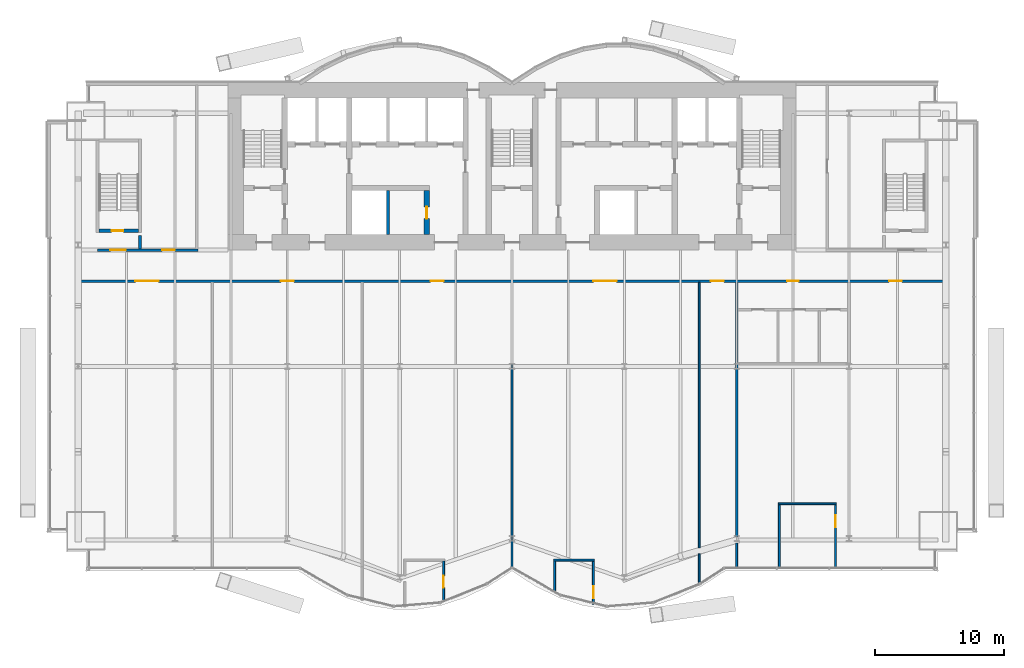
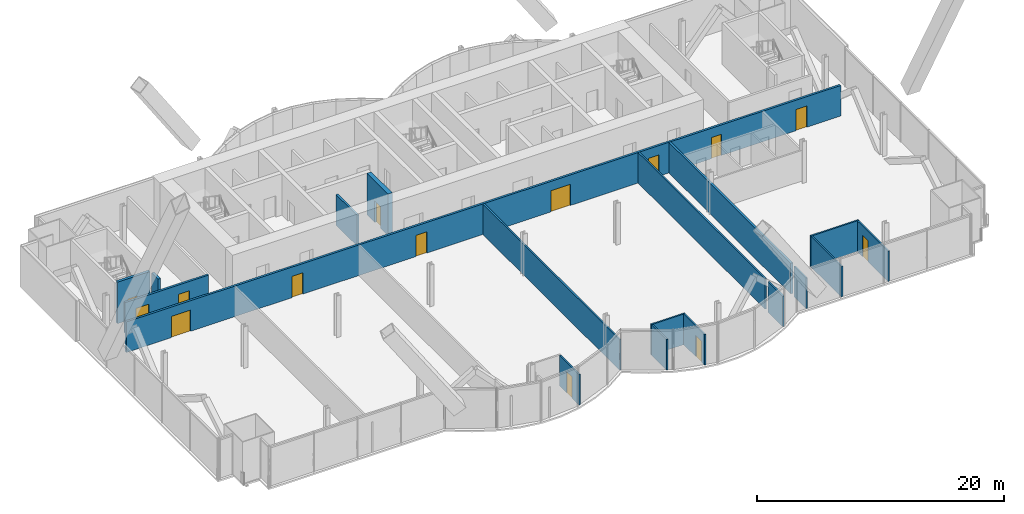
# One storey, part 17 of 23: 18 walls, 14 doors, 14 openings.
"""IFC4 building model written with IfcOpenShell, lengths in metres."""

from ifc_helpers import new_model, si_unit, direction, frame, frame_2d, origin, place, context, subcontext, project, spatial, rectangle, extrude, material, layer, layer_set, type_object, element, fill, save


model = new_model("IFC4")

# Units and contexts
model_context = context("Model", 3, precision=1e-05, world=origin(), true_north=direction((0.0, 1.0)))
body_context = subcontext(model_context, "Body", "Model", "MODEL_VIEW")
ifc_project = project(units=[si_unit("LENGTHUNIT", "METRE"), si_unit("AREAUNIT", "SQUARE_METRE"), si_unit("VOLUMEUNIT", "CUBIC_METRE"), si_unit("PLANEANGLEUNIT", "RADIAN"), si_unit("MASSUNIT", "GRAM", prefix="KILO")], contexts=[model_context])

# Site, building, storey
site_placement = place(None, origin())
site = spatial("IfcSite", under=ifc_project, at=site_placement, CompositionType="ELEMENT")
building_placement = place(site_placement, origin())
building = spatial("IfcBuilding", under=site, at=building_placement, Name="Bicima Exchange Tower", CompositionType="ELEMENT")
storey_placement = place(building_placement, frame((0.0, 0.0, 110.39990234375)))
storey = spatial("IfcBuildingStorey", under=building, at=storey_placement, Name="L23", CompositionType="ELEMENT", Elevation=110.39990234375)

# Wall
ifc_material_1 = material(Name="Gypsum board partition")
ifc_layer_1 = layer(ifc_material_1, 0.199951171875)
ifc_layer_set_1 = layer_set([ifc_layer_1], Name="Gypsum board partition")
wall_type_1 = type_object("IfcWallType", Name="Fire-rated gypsum partition 200 EI120", PredefinedType="PARTITIONING", material=ifc_layer_set_1)
wall_1_placement = place(storey_placement, frame((-9.60009765625, -11.800048828125, 0.0), z_axis=(0.0, 0.0, 1.0), x_axis=(0.0, 1.0, 0.0)))
element("IfcWall", 1, at=wall_1_placement, inside=storey, type_object=wall_type_1, Name="partition wall 11", PredefinedType="PARTITIONING", context=body_context, shape_type="SweptSolid", body=[
    extrude(rectangle(XDim=3.400146484375, YDim=0.199951171875, at=frame_2d((1.7001953125, 0.0))), origin(), (0.0, 0.0, 1.0), 3.018310546875),
])

# Wall, openings, doors
ifc_layer_2 = layer(ifc_material_1, 0.199951171875)
ifc_layer_set_2 = layer_set([ifc_layer_2], Name="Gypsum board partition")
wall_type_2 = type_object("IfcWallType", Name="Fire-rated gypsum partition 200 EI60", PredefinedType="PARTITIONING", material=ifc_layer_set_2)
wall_2_placement = place(storey_placement, frame((-33.3701171875, -15.39990234375, 0.0), z_axis=(0.0, 0.0, 1.0), x_axis=(1.0, 0.0, 0.0)))
wall_2 = element("IfcWall", 2, at=wall_2_placement, inside=storey, type_object=wall_type_2, Name="partition wall 6", PredefinedType="PARTITIONING", context=body_context, shape_type="SweptSolid", body=[
    extrude(rectangle(XDim=66.740234375, YDim=0.199951171875, at=frame_2d((33.3701171875, 0.0))), origin(), (0.0, 0.0, 1.0), 3.018310546875),
])
opening_1_placement = place(wall_2_placement, frame((4.199951171875, 0.0, 0.0)))
opening_1 = element("IfcOpeningElement", 3, at=opening_1_placement, cuts=wall_2, Name="Opening L23-007", PredefinedType="OPENING", context=body_context, shape_type="SweptSolid", body=[
    extrude(rectangle(XDim=1.800048828125, YDim=2.10009765625, at=frame_2d((0.89990234375, 1.050048828125))), frame((0.0, 0.11181640625, 0.0), z_axis=(0.0, -1.0, 0.0), x_axis=(1.0, 0.0, 0.0)), (0.0, 0.0, 1.0), 0.223876953125),
])
opening_2_placement = place(wall_2_placement, frame((15.469970703125, 0.0, 0.0)))
opening_2 = element("IfcOpeningElement", 4, at=opening_2_placement, cuts=wall_2, Name="Opening L23-008", PredefinedType="OPENING", context=body_context, shape_type="SweptSolid", body=[
    extrude(rectangle(XDim=1.0, YDim=2.10009765625, at=frame_2d((0.5, 1.050048828125))), frame((0.0, 0.11181640625, 0.0), z_axis=(0.0, -1.0, 0.0), x_axis=(1.0, 0.0, 0.0)), (0.0, 0.0, 1.0), 0.223876953125),
])
opening_3_placement = place(wall_2_placement, frame((27.070068359375, 0.0, 0.0)))
opening_3 = element("IfcOpeningElement", 5, at=opening_3_placement, cuts=wall_2, Name="Opening L23-009", PredefinedType="OPENING", context=body_context, shape_type="SweptSolid", body=[
    extrude(rectangle(XDim=1.0, YDim=2.10009765625, at=frame_2d((0.5, 1.050048828125))), frame((0.0, 0.11181640625, 0.0), z_axis=(0.0, -1.0, 0.0), x_axis=(1.0, 0.0, 0.0)), (0.0, 0.0, 1.0), 0.223876953125),
])
opening_4_placement = place(wall_2_placement, frame((39.669921875, 0.0, 0.0)))
opening_4 = element("IfcOpeningElement", 6, at=opening_4_placement, cuts=wall_2, Name="Opening L23-010", PredefinedType="OPENING", context=body_context, shape_type="SweptSolid", body=[
    extrude(rectangle(XDim=1.800048828125, YDim=2.10009765625, at=frame_2d((0.89990234375, 1.050048828125))), frame((0.0, 0.11181640625, 0.0), z_axis=(0.0, -1.0, 0.0), x_axis=(1.0, 0.0, 0.0)), (0.0, 0.0, 1.0), 0.223876953125),
])
opening_5_placement = place(wall_2_placement, frame((48.77001953125, 0.0, 0.0)))
opening_5 = element("IfcOpeningElement", 7, at=opening_5_placement, cuts=wall_2, Name="Opening L23-011", PredefinedType="OPENING", context=body_context, shape_type="SweptSolid", body=[
    extrude(rectangle(XDim=1.0, YDim=2.10009765625, at=frame_2d((0.5, 1.050048828125))), frame((0.0, 0.11181640625, 0.0), z_axis=(0.0, -1.0, 0.0), x_axis=(1.0, 0.0, 0.0)), (0.0, 0.0, 1.0), 0.223876953125),
])
opening_6_placement = place(wall_2_placement, frame((54.669921875, 0.0, 0.0)))
opening_6 = element("IfcOpeningElement", 8, at=opening_6_placement, cuts=wall_2, Name="Opening L23-012", PredefinedType="OPENING", context=body_context, shape_type="SweptSolid", body=[
    extrude(rectangle(XDim=0.89990234375, YDim=2.10009765625, at=frame_2d((0.449951171875, 1.050048828125))), frame((0.0, 0.11181640625, 0.0), z_axis=(0.0, -1.0, 0.0), x_axis=(1.0, 0.0, 0.0)), (0.0, 0.0, 1.0), 0.223876953125),
])
opening_7_placement = place(wall_2_placement, frame((62.570068359375, 0.0, 0.0)))
opening_7 = element("IfcOpeningElement", 9, at=opening_7_placement, cuts=wall_2, Name="Opening L23-016", PredefinedType="OPENING", context=body_context, shape_type="SweptSolid", body=[
    extrude(rectangle(XDim=1.0, YDim=2.10009765625, at=frame_2d((0.5, 1.050048828125))), frame((0.0, 0.11181640625, 0.0), z_axis=(0.0, -1.0, 0.0), x_axis=(1.0, 0.0, 0.0)), (0.0, 0.0, 1.0), 0.223876953125),
])
ifc_material_2 = material(Name="Steel fire door leaf", Category="steel")
door_type_1 = type_object("IfcDoorType", Name="Door 1000 swing FD30S", OperationType="SINGLE_SWING_LEFT", PredefinedType="DOOR", material=ifc_material_2)
door_1_placement = place(opening_2_placement, frame((1.0, 0.0, 0.0), z_axis=(0.0, 0.0, 1.0), x_axis=(-1.0, 0.0, 0.0)))
door_1 = element("IfcDoor", 10, at=door_1_placement, inside=storey, type_object=door_type_1, Name="Door", OperationType="SINGLE_SWING_RIGHT", OverallHeight=2.10009765625, OverallWidth=1.0, PredefinedType="DOOR", context=body_context, shape_type="SweptSolid", body=[
    extrude(rectangle(XDim=1.0, YDim=2.10009765625, at=frame_2d((0.5, 1.050048828125))), frame((0.0, 0.02490234375, 0.0), z_axis=(0.0, -1.0, 0.0), x_axis=(1.0, 0.0, 0.0)), (0.0, 0.0, 1.0), 0.050048828125),
])
fill(opening_2, door_1)
door_2_placement = place(opening_3_placement, frame((1.0, 0.0, 0.0), z_axis=(0.0, 0.0, 1.0), x_axis=(-1.0, 0.0, 0.0)))
door_2 = element("IfcDoor", 11, at=door_2_placement, inside=storey, type_object=door_type_1, Name="Door", OperationType="SINGLE_SWING_RIGHT", OverallHeight=2.10009765625, OverallWidth=1.0, PredefinedType="DOOR", context=body_context, shape_type="SweptSolid", body=[
    extrude(rectangle(XDim=1.0, YDim=2.10009765625, at=frame_2d((0.5, 1.050048828125))), frame((0.0, 0.02490234375, 0.0), z_axis=(0.0, -1.0, 0.0), x_axis=(1.0, 0.0, 0.0)), (0.0, 0.0, 1.0), 0.050048828125),
])
fill(opening_3, door_2)
door_3_placement = place(opening_5_placement, frame((1.0, 0.0, 0.0), z_axis=(0.0, 0.0, 1.0), x_axis=(-1.0, 0.0, 0.0)))
door_3 = element("IfcDoor", 12, at=door_3_placement, inside=storey, type_object=door_type_1, Name="Door", OperationType="SINGLE_SWING_RIGHT", OverallHeight=2.10009765625, OverallWidth=1.0, PredefinedType="DOOR", context=body_context, shape_type="SweptSolid", body=[
    extrude(rectangle(XDim=1.0, YDim=2.10009765625, at=frame_2d((0.5, 1.050048828125))), frame((0.0, 0.02490234375, 0.0), z_axis=(0.0, -1.0, 0.0), x_axis=(1.0, 0.0, 0.0)), (0.0, 0.0, 1.0), 0.050048828125),
])
fill(opening_5, door_3)
door_4_placement = place(opening_7_placement, frame((1.0, 0.0, 0.0), z_axis=(0.0, 0.0, 1.0), x_axis=(-1.0, 0.0, 0.0)))
door_4 = element("IfcDoor", 13, at=door_4_placement, inside=storey, type_object=door_type_1, Name="Door", OperationType="SINGLE_SWING_LEFT", OverallHeight=2.10009765625, OverallWidth=1.0, PredefinedType="DOOR", context=body_context, shape_type="SweptSolid", body=[
    extrude(rectangle(XDim=1.0, YDim=2.10009765625, at=frame_2d((0.5, 1.050048828125))), frame((0.0, 0.02490234375, 0.0), z_axis=(0.0, -1.0, 0.0), x_axis=(1.0, 0.0, 0.0)), (0.0, 0.0, 1.0), 0.050048828125),
])
fill(opening_7, door_4)
door_type_2 = type_object("IfcDoorType", Name="Door 1800 double swing FD30S", OperationType="DOUBLE_DOOR_SINGLE_SWING", PredefinedType="DOOR", material=ifc_material_2)
door_5_placement = place(opening_1_placement, origin())
door_5 = element("IfcDoor", 14, at=door_5_placement, inside=storey, type_object=door_type_2, Name="Door", OperationType="SINGLE_SWING_LEFT", OverallHeight=2.10009765625, OverallWidth=1.800048828125, PredefinedType="DOOR", context=body_context, shape_type="SweptSolid", body=[
    extrude(rectangle(XDim=1.800048828125, YDim=2.10009765625, at=frame_2d((0.89990234375, 1.050048828125))), frame((0.0, 0.02490234375, 0.0), z_axis=(0.0, -1.0, 0.0), x_axis=(1.0, 0.0, 0.0)), (0.0, 0.0, 1.0), 0.050048828125),
])
fill(opening_1, door_5)
door_6_placement = place(opening_4_placement, origin())
door_6 = element("IfcDoor", 15, at=door_6_placement, inside=storey, type_object=door_type_2, Name="Door", OperationType="SINGLE_SWING_LEFT", OverallHeight=2.10009765625, OverallWidth=1.800048828125, PredefinedType="DOOR", context=body_context, shape_type="SweptSolid", body=[
    extrude(rectangle(XDim=1.800048828125, YDim=2.10009765625, at=frame_2d((0.89990234375, 1.050048828125))), frame((0.0, 0.02490234375, 0.0), z_axis=(0.0, -1.0, 0.0), x_axis=(1.0, 0.0, 0.0)), (0.0, 0.0, 1.0), 0.050048828125),
])
fill(opening_4, door_6)
door_type_3 = type_object("IfcDoorType", Name="Door 900 swing FD30S", OperationType="SINGLE_SWING_LEFT", PredefinedType="DOOR", material=ifc_material_2)
door_7_placement = place(opening_6_placement, frame((0.89990234375, 0.0, 0.0), z_axis=(0.0, 0.0, 1.0), x_axis=(-1.0, 0.0, 0.0)))
door_7 = element("IfcDoor", 16, at=door_7_placement, inside=storey, type_object=door_type_3, Name="Door", OperationType="SINGLE_SWING_RIGHT", OverallHeight=2.10009765625, OverallWidth=0.89990234375, PredefinedType="DOOR", context=body_context, shape_type="SweptSolid", body=[
    extrude(rectangle(XDim=0.89990234375, YDim=2.10009765625, at=frame_2d((0.449951171875, 1.050048828125))), frame((0.0, 0.02490234375, 0.0), z_axis=(0.0, -1.0, 0.0), x_axis=(1.0, 0.0, 0.0)), (0.0, 0.0, 1.0), 0.050048828125),
])
fill(opening_6, door_7)

wall_3_placement = place(storey_placement, frame((-32.10009765625, -13.0, 0.0), z_axis=(0.0, 0.0, 1.0), x_axis=(1.0, 0.0, 0.0)))
wall_3 = element("IfcWall", 17, at=wall_3_placement, inside=storey, type_object=wall_type_2, Name="partition wall 7", PredefinedType="PARTITIONING", context=body_context, shape_type="SweptSolid", body=[
    extrude(rectangle(XDim=7.800048828125, YDim=0.199951171875, at=frame_2d((3.89990234375, 0.0))), origin(), (0.0, 0.0, 1.0), 3.018310546875),
])
opening_8_placement = place(wall_3_placement, frame((1.0, 0.0, 0.0)))
opening_8 = element("IfcOpeningElement", 18, at=opening_8_placement, cuts=wall_3, Name="Opening L23-001", PredefinedType="OPENING", context=body_context, shape_type="SweptSolid", body=[
    extrude(rectangle(XDim=1.199951171875, YDim=2.10009765625, at=frame_2d((0.60009765625, 1.050048828125))), frame((0.0, 0.11181640625, 0.0), z_axis=(0.0, -1.0, 0.0), x_axis=(1.0, 0.0, 0.0)), (0.0, 0.0, 1.0), 0.223876953125),
])
opening_9_placement = place(wall_3_placement, frame((5.0, 0.0, 0.0)))
opening_9 = element("IfcOpeningElement", 19, at=opening_9_placement, cuts=wall_3, Name="Opening L23-005", PredefinedType="OPENING", context=body_context, shape_type="SweptSolid", body=[
    extrude(rectangle(XDim=1.0, YDim=2.10009765625, at=frame_2d((0.5, 1.050048828125))), frame((0.0, 0.11181640625, 0.0), z_axis=(0.0, -1.0, 0.0), x_axis=(1.0, 0.0, 0.0)), (0.0, 0.0, 1.0), 0.223876953125),
])
door_8_placement = place(opening_9_placement, origin())
door_8 = element("IfcDoor", 20, at=door_8_placement, inside=storey, type_object=door_type_1, Name="Door", OperationType="SINGLE_SWING_LEFT", OverallHeight=2.10009765625, OverallWidth=1.0, PredefinedType="DOOR", context=body_context, shape_type="SweptSolid", body=[
    extrude(rectangle(XDim=1.0, YDim=2.10009765625, at=frame_2d((0.5, 1.050048828125))), frame((0.0, 0.02490234375, 0.0), z_axis=(0.0, -1.0, 0.0), x_axis=(1.0, 0.0, 0.0)), (0.0, 0.0, 1.0), 0.050048828125),
])
fill(opening_9, door_8)
door_type_4 = type_object("IfcDoorType", Name="Door 1200 swing FD30S", OperationType="SINGLE_SWING_LEFT", PredefinedType="DOOR", material=ifc_material_2)
door_9_placement = place(opening_8_placement, origin())
door_9 = element("IfcDoor", 21, at=door_9_placement, inside=storey, type_object=door_type_4, Name="Door", OperationType="SINGLE_SWING_LEFT", OverallHeight=2.10009765625, OverallWidth=1.199951171875, PredefinedType="DOOR", context=body_context, shape_type="SweptSolid", body=[
    extrude(rectangle(XDim=1.199951171875, YDim=2.10009765625, at=frame_2d((0.60009765625, 1.050048828125))), frame((0.0, 0.02490234375, 0.0), z_axis=(0.0, -1.0, 0.0), x_axis=(1.0, 0.0, 0.0)), (0.0, 0.0, 1.0), 0.050048828125),
])
fill(opening_8, door_9)

# Walls
wall_4_placement = place(storey_placement, frame((17.39990234375, -35.214599609375, 0.0), z_axis=(0.0, 0.0, 1.0), x_axis=(0.0, 1.0, 0.0)))
element("IfcWall", 22, at=wall_4_placement, inside=storey, type_object=wall_type_2, Name="partition wall 30", PredefinedType="PARTITIONING", context=body_context, shape_type="SweptSolid", body=[
    extrude(rectangle(XDim=19.714599609375, YDim=0.199951171875, at=frame_2d((9.857421875, 0.0))), origin(), (0.0, 0.0, 1.0), 3.018310546875),
])
ifc_layer_3 = layer(ifc_material_1, 0.14990234375)
ifc_layer_set_3 = layer_set([ifc_layer_3], Name="Gypsum board partition")
wall_type_3 = type_object("IfcWallType", Name="Gypsum partition 150", PredefinedType="PARTITIONING", material=ifc_layer_set_3)
wall_5_placement = place(storey_placement, frame((3.22509765625, -37.0, 0.0), z_axis=(0.0, 0.0, 1.0), x_axis=(1.0, 0.0, 0.0)))
element("IfcWall", 23, at=wall_5_placement, inside=storey, type_object=wall_type_3, Name="partition wall 2", PredefinedType="PARTITIONING", context=body_context, shape_type="SweptSolid", body=[
    extrude(rectangle(XDim=3.14990234375, YDim=0.14990234375, at=frame_2d((1.574951171875, 0.0))), origin(), (0.0, 0.0, 1.0), 3.018310546875),
])
wall_6_placement = place(storey_placement, frame((20.625, -32.639892578125, 0.0), z_axis=(0.0, 0.0, 1.0), x_axis=(1.0, 0.0, 0.0)))
element("IfcWall", 24, at=wall_6_placement, inside=storey, type_object=wall_type_3, Name="partition wall 3", PredefinedType="PARTITIONING", context=body_context, shape_type="SweptSolid", body=[
    extrude(rectangle(XDim=4.5, YDim=0.14990234375, at=frame_2d((2.25, 0.0))), origin(), (0.0, 0.0, 1.0), 3.018310546875),
])

# Wall, opening, door
wall_7_placement = place(storey_placement, frame((-5.300048828125, -40.22998046875, 0.0), z_axis=(0.0, 0.0, 1.0), x_axis=(0.0, 1.0, 0.0)))
wall_7 = element("IfcWall", 25, at=wall_7_placement, inside=storey, type_object=wall_type_3, Name="partition wall 23", PredefinedType="PARTITIONING", context=body_context, shape_type="SweptSolid", body=[
    extrude(rectangle(XDim=3.155029296875, YDim=0.14990234375, at=frame_2d((1.57763671875, 0.0))), origin(), (0.0, 0.0, 1.0), 3.018310546875),
])
opening_10_placement = place(wall_7_placement, frame((1.10009765625, 0.0, 0.0)))
opening_10 = element("IfcOpeningElement", 26, at=opening_10_placement, cuts=wall_7, Name="Opening L23-017", PredefinedType="OPENING", context=body_context, shape_type="SweptSolid", body=[
    extrude(rectangle(XDim=0.89990234375, YDim=2.10009765625, at=frame_2d((0.449951171875, 1.050048828125))), frame((0.0, 0.0869140625, 0.0), z_axis=(0.0, -1.0, 0.0), x_axis=(1.0, 0.0, 0.0)), (0.0, 0.0, 1.0), 0.173828125),
])
ifc_material_3 = material(Name="Timber door leaf", Category="wood")
door_type_5 = type_object("IfcDoorType", Name="Door 900 swing", OperationType="SINGLE_SWING_LEFT", PredefinedType="DOOR", material=ifc_material_3)
door_10_placement = place(opening_10_placement, origin())
door_10 = element("IfcDoor", 27, at=door_10_placement, inside=storey, type_object=door_type_5, Name="Door", OperationType="SINGLE_SWING_LEFT", OverallHeight=2.10009765625, OverallWidth=0.89990234375, PredefinedType="DOOR", context=body_context, shape_type="SweptSolid", body=[
    extrude(rectangle(XDim=0.89990234375, YDim=2.10009765625, at=frame_2d((0.449951171875, 1.050048828125))), frame((0.0, 0.02490234375, 0.0), z_axis=(0.0, -1.0, 0.0), x_axis=(1.0, 0.0, 0.0)), (0.0, 0.0, 1.0), 0.050048828125),
])
fill(opening_10, door_10)

# Walls
wall_8_placement = place(storey_placement, frame((0.0, -37.60009765625, 0.0), z_axis=(0.0, 0.0, 1.0), x_axis=(0.0, 1.0, 0.0)))
element("IfcWall", 28, at=wall_8_placement, inside=storey, type_object=wall_type_3, Name="partition wall 24", PredefinedType="PARTITIONING", context=body_context, shape_type="SweptSolid", body=[
    extrude(rectangle(XDim=22.10009765625, YDim=0.14990234375, at=frame_2d((11.050048828125, 0.0))), origin(), (0.0, 0.0, 1.0), 3.018310546875),
])
wall_9_placement = place(storey_placement, frame((3.300048828125, -39.510009765625, 0.0), z_axis=(0.0, 0.0, 1.0), x_axis=(0.0, 1.0, 0.0)))
element("IfcWall", 29, at=wall_9_placement, inside=storey, type_object=wall_type_3, Name="partition wall 25", PredefinedType="PARTITIONING", context=body_context, shape_type="SweptSolid", body=[
    extrude(rectangle(XDim=2.43505859375, YDim=0.14990234375, at=frame_2d((1.217529296875, 0.0))), origin(), (0.0, 0.0, 1.0), 3.018310546875),
])

# Wall, opening, door
wall_10_placement = place(storey_placement, frame((6.300048828125, -40.43994140625, 0.0), z_axis=(0.0, 0.0, 1.0), x_axis=(0.0, 1.0, 0.0)))
wall_10 = element("IfcWall", 30, at=wall_10_placement, inside=storey, type_object=wall_type_3, Name="partition wall 26", PredefinedType="PARTITIONING", context=body_context, shape_type="SweptSolid", body=[
    extrude(rectangle(XDim=3.364990234375, YDim=0.14990234375, at=frame_2d((1.6826171875, 0.0))), origin(), (0.0, 0.0, 1.0), 3.018310546875),
])
opening_11_placement = place(wall_10_placement, frame((0.5, 0.0, 0.0)))
opening_11 = element("IfcOpeningElement", 31, at=opening_11_placement, cuts=wall_10, Name="Opening L23-018", PredefinedType="OPENING", context=body_context, shape_type="SweptSolid", body=[
    extrude(rectangle(XDim=0.89990234375, YDim=2.10009765625, at=frame_2d((0.449951171875, 1.050048828125))), frame((0.0, 0.0869140625, 0.0), z_axis=(0.0, -1.0, 0.0), x_axis=(1.0, 0.0, 0.0)), (0.0, 0.0, 1.0), 0.173828125),
])
door_11_placement = place(opening_11_placement, origin())
door_11 = element("IfcDoor", 32, at=door_11_placement, inside=storey, type_object=door_type_5, Name="Door", OperationType="SINGLE_SWING_RIGHT", OverallHeight=2.10009765625, OverallWidth=0.89990234375, PredefinedType="DOOR", context=body_context, shape_type="SweptSolid", body=[
    extrude(rectangle(XDim=0.89990234375, YDim=2.10009765625, at=frame_2d((0.449951171875, 1.050048828125))), frame((0.0, 0.02490234375, 0.0), z_axis=(0.0, -1.0, 0.0), x_axis=(1.0, 0.0, 0.0)), (0.0, 0.0, 1.0), 0.050048828125),
])
fill(opening_11, door_11)

# Walls
wall_11_placement = place(storey_placement, frame((14.5, -38.8798828125, 0.0), z_axis=(0.0, 0.0, 1.0), x_axis=(0.0, 1.0, 0.0)))
element("IfcWall", 33, at=wall_11_placement, inside=storey, type_object=wall_type_3, Name="partition wall 27", PredefinedType="PARTITIONING", context=body_context, shape_type="SweptSolid", body=[
    extrude(rectangle(XDim=2.356201171875, YDim=0.14990234375, at=frame_2d((1.17822265625, 0.0))), origin(), (0.0, 0.0, 1.0), 3.018310546875),
])
wall_12_placement = place(storey_placement, frame((14.5, -36.049072265625, 0.0), z_axis=(0.0, 0.0, 1.0), x_axis=(0.0, 1.0, 0.0)))
element("IfcWall", 34, at=wall_12_placement, inside=storey, type_object=wall_type_3, Name="partition wall 28", PredefinedType="PARTITIONING", context=body_context, shape_type="SweptSolid", body=[
    extrude(rectangle(XDim=20.549072265625, YDim=0.14990234375, at=frame_2d((10.2744140625, 0.0))), origin(), (0.0, 0.0, 1.0), 3.018310546875),
])
wall_13_placement = place(storey_placement, frame((17.39990234375, -37.639892578125, 0.0), z_axis=(0.0, 0.0, 1.0), x_axis=(0.0, 1.0, 0.0)))
element("IfcWall", 35, at=wall_13_placement, inside=storey, type_object=wall_type_3, Name="partition wall 29", PredefinedType="PARTITIONING", context=body_context, shape_type="SweptSolid", body=[
    extrude(rectangle(XDim=1.95068359375, YDim=0.14990234375, at=frame_2d((0.975341796875, 0.0))), origin(), (0.0, 0.0, 1.0), 3.018310546875),
])
wall_14_placement = place(storey_placement, frame((20.699951171875, -37.639892578125, 0.0), z_axis=(0.0, 0.0, 1.0), x_axis=(0.0, 1.0, 0.0)))
element("IfcWall", 36, at=wall_14_placement, inside=storey, type_object=wall_type_3, Name="partition wall 32", PredefinedType="PARTITIONING", context=body_context, shape_type="SweptSolid", body=[
    extrude(rectangle(XDim=4.9248046875, YDim=0.14990234375, at=frame_2d((2.46240234375, 0.0))), origin(), (0.0, 0.0, 1.0), 3.018310546875),
])

# Wall, opening, door
wall_15_placement = place(storey_placement, frame((25.050048828125, -37.639892578125, 0.0), z_axis=(0.0, 0.0, 1.0), x_axis=(0.0, 1.0, 0.0)))
wall_15 = element("IfcWall", 37, at=wall_15_placement, inside=storey, type_object=wall_type_3, Name="partition wall 35", PredefinedType="PARTITIONING", context=body_context, shape_type="SweptSolid", body=[
    extrude(rectangle(XDim=4.9248046875, YDim=0.14990234375, at=frame_2d((2.46240234375, 0.0))), origin(), (0.0, 0.0, 1.0), 3.018310546875),
])
opening_12_placement = place(wall_15_placement, frame((3.199951171875, 0.0, 0.0)))
opening_12 = element("IfcOpeningElement", 38, at=opening_12_placement, cuts=wall_15, Name="Opening L23-019", PredefinedType="OPENING", context=body_context, shape_type="SweptSolid", body=[
    extrude(rectangle(XDim=0.89990234375, YDim=2.10009765625, at=frame_2d((0.449951171875, 1.050048828125))), frame((0.0, 0.0869140625, 0.0), z_axis=(0.0, -1.0, 0.0), x_axis=(1.0, 0.0, 0.0)), (0.0, 0.0, 1.0), 0.173828125),
])
door_12_placement = place(opening_12_placement, origin())
door_12 = element("IfcDoor", 39, at=door_12_placement, inside=storey, type_object=door_type_5, Name="Door", OperationType="SINGLE_SWING_LEFT", OverallHeight=2.10009765625, OverallWidth=0.89990234375, PredefinedType="DOOR", context=body_context, shape_type="SweptSolid", body=[
    extrude(rectangle(XDim=0.89990234375, YDim=2.10009765625, at=frame_2d((0.449951171875, 1.050048828125))), frame((0.0, 0.02490234375, 0.0), z_axis=(0.0, -1.0, 0.0), x_axis=(1.0, 0.0, 0.0)), (0.0, 0.0, 1.0), 0.050048828125),
])
fill(opening_12, door_12)

# Wall
ifc_material_4 = material(Name="Concrete C50/60", Category="concrete")
ifc_layer_4 = layer(ifc_material_4, 0.25)
ifc_layer_set_4 = layer_set([ifc_layer_4], Name="Concrete C50/60")
wall_type_4 = type_object("IfcWallType", Name="RC core wall 250 C50/60", PredefinedType="SHEAR", material=ifc_layer_set_4)
wall_16_placement = place(storey_placement, frame((-28.800048828125, -12.89990234375, 0.0), z_axis=(0.0, 0.0, 1.0), x_axis=(0.0, 1.0, 0.0)))
element("IfcWall", 40, at=wall_16_placement, inside=storey, type_object=wall_type_4, Name="stair wall 16", PredefinedType="SHEAR", context=body_context, shape_type="SweptSolid", body=[
    extrude(rectangle(XDim=1.0498046875, YDim=0.25, at=frame_2d((0.52490234375, 0.0))), origin(), (0.0, 0.0, 1.0), 4.10009765625),
])

# Wall, opening, door
ifc_material_5 = material(Name="Concrete C60/75", Category="concrete")
ifc_layer_5 = layer(ifc_material_5, 0.39990234375)
ifc_layer_set_5 = layer_set([ifc_layer_5], Name="Concrete C60/75")
wall_type_5 = type_object("IfcWallType", Name="RC core wall 400 C60/75", PredefinedType="SHEAR", material=ifc_layer_set_5)
wall_17_placement = place(storey_placement, frame((-6.60009765625, -11.800048828125, 0.0), z_axis=(0.0, 0.0, 1.0), x_axis=(0.0, 1.0, 0.0)))
wall_17 = element("IfcWall", 41, at=wall_17_placement, inside=storey, type_object=wall_type_5, Name="shear wall 13", PredefinedType="SHEAR", context=body_context, shape_type="SweptSolid", body=[
    extrude(rectangle(XDim=3.400146484375, YDim=0.39990234375, at=frame_2d((1.7001953125, 0.0))), origin(), (0.0, 0.0, 1.0), 4.10009765625),
])
opening_13_placement = place(wall_17_placement, frame((1.25, 0.0, 0.0)))
opening_13 = element("IfcOpeningElement", 42, at=opening_13_placement, cuts=wall_17, Name="Opening L23-C15", PredefinedType="OPENING", context=body_context, shape_type="SweptSolid", body=[
    extrude(rectangle(XDim=0.89990234375, YDim=2.10009765625, at=frame_2d((0.449951171875, 1.050048828125))), frame((0.0, 0.2119140625, 0.0), z_axis=(0.0, -1.0, 0.0), x_axis=(1.0, 0.0, 0.0)), (0.0, 0.0, 1.0), 0.423828125),
])
door_13_placement = place(opening_13_placement, origin())
door_13 = element("IfcDoor", 43, at=door_13_placement, inside=storey, type_object=door_type_3, Name="Core door", OperationType="SINGLE_SWING_LEFT", OverallHeight=2.10009765625, OverallWidth=0.89990234375, PredefinedType="DOOR", context=body_context, shape_type="SweptSolid", body=[
    extrude(rectangle(XDim=0.89990234375, YDim=2.10009765625, at=frame_2d((0.449951171875, 1.050048828125))), frame((0.0, 0.02490234375, 0.0), z_axis=(0.0, -1.0, 0.0), x_axis=(1.0, 0.0, 0.0)), (0.0, 0.0, 1.0), 0.050048828125),
])
fill(opening_13, door_13)

ifc_layer_6 = layer(ifc_material_4, 0.25)
ifc_layer_set_6 = layer_set([ifc_layer_6], Name="Concrete C50/60")
wall_type_6 = type_object("IfcWallType", Name="RC stair enclosure wall 250 C50/60", PredefinedType="SHEAR", material=ifc_layer_set_6)
wall_18_placement = place(storey_placement, frame((-31.97509765625, -11.5, 0.0), z_axis=(0.0, 0.0, 1.0), x_axis=(1.0, 0.0, 0.0)))
wall_18 = element("IfcWall", 44, at=wall_18_placement, inside=storey, type_object=wall_type_6, Name="West end exit stair wall S", PredefinedType="SHEAR", context=body_context, shape_type="SweptSolid", body=[
    extrude(rectangle(XDim=3.050048828125, YDim=0.25, at=frame_2d((1.52490234375, 0.0))), origin(), (0.0, 0.0, 1.0), 4.10009765625),
])
opening_14_placement = place(wall_18_placement, frame((0.97509765625, 0.0, 0.0)))
opening_14 = element("IfcOpeningElement", 45, at=opening_14_placement, cuts=wall_18, Name="Opening L23-002", PredefinedType="OPENING", context=body_context, shape_type="SweptSolid", body=[
    extrude(rectangle(XDim=0.89990234375, YDim=2.10009765625, at=frame_2d((0.449951171875, 1.050048828125))), frame((0.0, 0.136962890625, 0.0), z_axis=(0.0, -1.0, 0.0), x_axis=(1.0, 0.0, 0.0)), (0.0, 0.0, 1.0), 0.27392578125),
])
door_type_6 = type_object("IfcDoorType", Name="Door 900 swing FD60S", OperationType="SINGLE_SWING_LEFT", PredefinedType="DOOR", material=ifc_material_2)
door_14_placement = place(opening_14_placement, origin())
door_14 = element("IfcDoor", 46, at=door_14_placement, inside=storey, type_object=door_type_6, Name="Door", OperationType="SINGLE_SWING_LEFT", OverallHeight=2.10009765625, OverallWidth=0.89990234375, PredefinedType="DOOR", context=body_context, shape_type="SweptSolid", body=[
    extrude(rectangle(XDim=0.89990234375, YDim=2.10009765625, at=frame_2d((0.449951171875, 1.050048828125))), frame((0.0, 0.02490234375, 0.0), z_axis=(0.0, -1.0, 0.0), x_axis=(1.0, 0.0, 0.0)), (0.0, 0.0, 1.0), 0.050048828125),
])
fill(opening_14, door_14)

save(model, "model.ifc")
